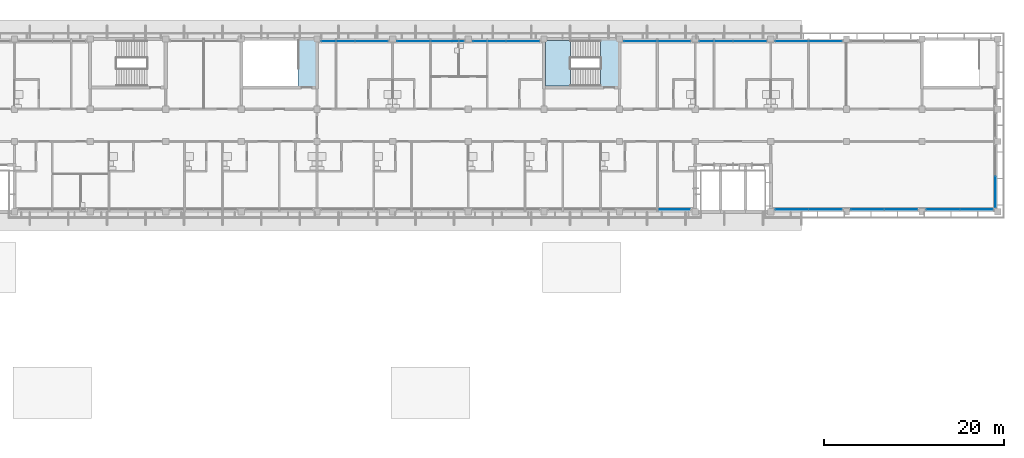
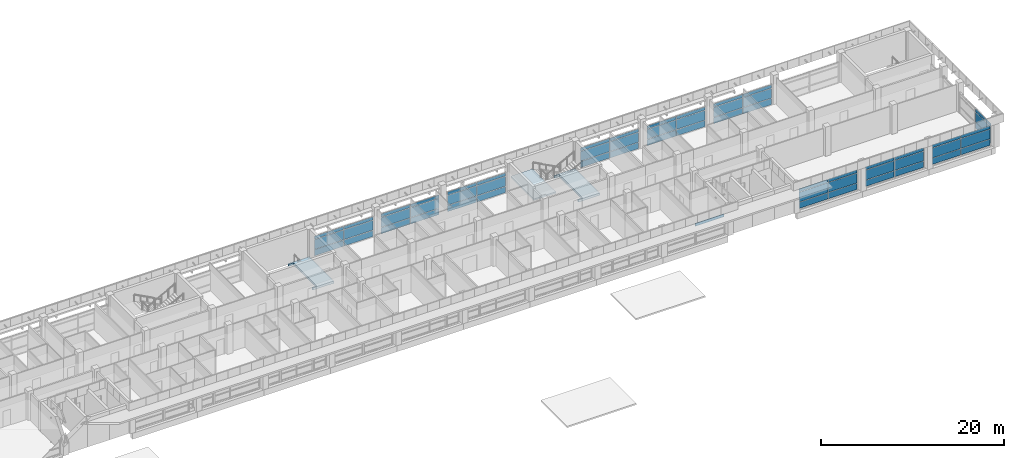
# One storey, part 13 of 36: 58 plates, 3 slabs, 12 elements without a shape of their own.
"""IFC4 building model written with IfcOpenShell, lengths in metres."""

from ifc_helpers import new_model, si_unit, direction, frame, origin, origin_2d, place, context, subcontext, project, spatial, polyline, rectangle, outline, extrude, material, layer, layer_set, type_object, element, aggregate, save


model = new_model("IFC4")

# Units and contexts
model_context = context("Model", 3, precision=1e-05, world=origin(), true_north=direction((0.0, 1.0)))
body_context = subcontext(model_context, "Body", "Model", "MODEL_VIEW")
ifc_project = project(units=[si_unit("LENGTHUNIT", "METRE"), si_unit("AREAUNIT", "SQUARE_METRE"), si_unit("VOLUMEUNIT", "CUBIC_METRE"), si_unit("PLANEANGLEUNIT", "RADIAN"), si_unit("MASSUNIT", "GRAM", prefix="KILO")], contexts=[model_context])

# Site, building, storey
site_placement = place(None, origin())
site = spatial("IfcSite", under=ifc_project, at=site_placement, CompositionType="ELEMENT")
building_placement = place(site_placement, origin())
building = spatial("IfcBuilding", under=site, at=building_placement, Name="Bougainvillea Quay General Hospital", CompositionType="ELEMENT")
storey_placement = place(building_placement, frame((0.0, 0.0, 32.699951171875)))
storey = spatial("IfcBuildingStorey", under=building, at=storey_placement, Name="L07", CompositionType="ELEMENT", Elevation=32.699951171875)

# Curtain wall, plates
ifc_material_1 = material(Name="Aluminium curtain wall system, powder-coated glazed", Category="aluminium")
curtain_wall_type_1 = type_object("IfcCurtainWallType", Name="Unitised curtain wall CW-3730", PredefinedType="NOTDEFINED", material=ifc_material_1)
curtain_wall_1_placement = place(storey_placement, origin())
curtain_wall_1 = element("IfcCurtainWall", 1, at=curtain_wall_1_placement, inside=storey, type_object=curtain_wall_type_1, Name="CW-4200 01", PredefinedType="NOTDEFINED")
ifc_material_2 = material(Name="Insulated aluminium spandrel panel, white", Category="aluminium")
ifc_layer_1 = layer(ifc_material_2, 0.028076171875)
ifc_layer_set_1 = layer_set([ifc_layer_1], Name="Insulated aluminium spandrel panel, white")
plate_type_1 = type_object("IfcPlateType", Name="Insulated spandrel panel white 28", PredefinedType="CURTAIN_PANEL", material=ifc_layer_set_1)
plate_1_placement = place(storey_placement, frame((165.64990234375, 159.35009765625, 0.06005859375), z_axis=(0.0, 0.0, 1.0), x_axis=(-1.0, 0.0, 0.0)))
plate_1 = element("IfcPlate", 2, at=plate_1_placement, type_object=plate_type_1, Name="CW-4200 spandrel panel 1.1", PredefinedType="CURTAIN_PANEL", context=body_context, shape_type="SweptSolid", body=[
    extrude(rectangle(XDim=3.639892578125, YDim=0.028076171875, at=origin_2d()), origin(), (0.0, 0.0, 1.0), 0.81005859375),
])
plate_2_placement = place(storey_placement, frame((165.64990234375, 159.35009765625, 2.2802734375), z_axis=(0.0, 0.0, 1.0), x_axis=(-1.0, 0.0, 0.0)))
plate_2 = element("IfcPlate", 3, at=plate_2_placement, type_object=plate_type_1, Name="CW-4200 spandrel panel 1.3", PredefinedType="CURTAIN_PANEL", context=body_context, shape_type="SweptSolid", body=[
    extrude(rectangle(XDim=3.639892578125, YDim=0.028076171875, at=origin_2d()), origin(), (0.0, 0.0, 1.0), 0.409912109375),
])
plate_3_placement = place(storey_placement, frame((161.949951171875, 159.35009765625, 0.06005859375), z_axis=(0.0, 0.0, 1.0), x_axis=(-1.0, 0.0, 0.0)))
plate_3 = element("IfcPlate", 4, at=plate_3_placement, type_object=plate_type_1, Name="CW-4200 spandrel panel 2.1", PredefinedType="CURTAIN_PANEL", context=body_context, shape_type="SweptSolid", body=[
    extrude(rectangle(XDim=3.639892578125, YDim=0.028076171875, at=origin_2d()), origin(), (0.0, 0.0, 1.0), 0.81005859375),
])
plate_4_placement = place(storey_placement, frame((161.949951171875, 159.35009765625, 2.2802734375), z_axis=(0.0, 0.0, 1.0), x_axis=(-1.0, 0.0, 0.0)))
plate_4 = element("IfcPlate", 5, at=plate_4_placement, type_object=plate_type_1, Name="CW-4200 spandrel panel 2.3", PredefinedType="CURTAIN_PANEL", context=body_context, shape_type="SweptSolid", body=[
    extrude(rectangle(XDim=3.639892578125, YDim=0.028076171875, at=origin_2d()), origin(), (0.0, 0.0, 1.0), 0.409912109375),
])

curtain_wall_2_placement = place(storey_placement, origin())
curtain_wall_2 = element("IfcCurtainWall", 6, at=curtain_wall_2_placement, inside=storey, type_object=curtain_wall_type_1, Name="CW-4200 02", PredefinedType="NOTDEFINED")
plate_5_placement = place(storey_placement, frame((157.25, 159.35009765625, 0.06005859375), z_axis=(0.0, 0.0, 1.0), x_axis=(-1.0, 0.0, 0.0)))
plate_5 = element("IfcPlate", 7, at=plate_5_placement, type_object=plate_type_1, Name="CW-4200 spandrel panel 1.1", PredefinedType="CURTAIN_PANEL", context=body_context, shape_type="SweptSolid", body=[
    extrude(rectangle(XDim=3.639892578125, YDim=0.028076171875, at=origin_2d()), origin(), (0.0, 0.0, 1.0), 0.81005859375),
])
plate_6_placement = place(storey_placement, frame((157.25, 159.35009765625, 2.2802734375), z_axis=(0.0, 0.0, 1.0), x_axis=(-1.0, 0.0, 0.0)))
plate_6 = element("IfcPlate", 8, at=plate_6_placement, type_object=plate_type_1, Name="CW-4200 spandrel panel 1.3", PredefinedType="CURTAIN_PANEL", context=body_context, shape_type="SweptSolid", body=[
    extrude(rectangle(XDim=3.639892578125, YDim=0.028076171875, at=origin_2d()), origin(), (0.0, 0.0, 1.0), 0.409912109375),
])
plate_7_placement = place(storey_placement, frame((153.550048828125, 159.35009765625, 0.06005859375), z_axis=(0.0, 0.0, 1.0), x_axis=(-1.0, 0.0, 0.0)))
plate_7 = element("IfcPlate", 9, at=plate_7_placement, type_object=plate_type_1, Name="CW-4200 spandrel panel 2.1", PredefinedType="CURTAIN_PANEL", context=body_context, shape_type="SweptSolid", body=[
    extrude(rectangle(XDim=3.639892578125, YDim=0.028076171875, at=origin_2d()), origin(), (0.0, 0.0, 1.0), 0.81005859375),
])
plate_8_placement = place(storey_placement, frame((153.550048828125, 159.35009765625, 2.2802734375), z_axis=(0.0, 0.0, 1.0), x_axis=(-1.0, 0.0, 0.0)))
plate_8 = element("IfcPlate", 10, at=plate_8_placement, type_object=plate_type_1, Name="CW-4200 spandrel panel 2.3", PredefinedType="CURTAIN_PANEL", context=body_context, shape_type="SweptSolid", body=[
    extrude(rectangle(XDim=3.639892578125, YDim=0.028076171875, at=origin_2d()), origin(), (0.0, 0.0, 1.0), 0.409912109375),
])

curtain_wall_3_placement = place(storey_placement, origin())
curtain_wall_3 = element("IfcCurtainWall", 11, at=curtain_wall_3_placement, inside=storey, type_object=curtain_wall_type_1, Name="CW-4200 03", PredefinedType="NOTDEFINED")
plate_9_placement = place(storey_placement, frame((148.85009765625, 159.35009765625, 0.06005859375), z_axis=(0.0, 0.0, 1.0), x_axis=(-1.0, 0.0, 0.0)))
plate_9 = element("IfcPlate", 12, at=plate_9_placement, type_object=plate_type_1, Name="CW-4200 spandrel panel 1.1", PredefinedType="CURTAIN_PANEL", context=body_context, shape_type="SweptSolid", body=[
    extrude(rectangle(XDim=3.639892578125, YDim=0.028076171875, at=origin_2d()), origin(), (0.0, 0.0, 1.0), 0.81005859375),
])
plate_10_placement = place(storey_placement, frame((148.85009765625, 159.35009765625, 2.2802734375), z_axis=(0.0, 0.0, 1.0), x_axis=(-1.0, 0.0, 0.0)))
plate_10 = element("IfcPlate", 13, at=plate_10_placement, type_object=plate_type_1, Name="CW-4200 spandrel panel 1.3", PredefinedType="CURTAIN_PANEL", context=body_context, shape_type="SweptSolid", body=[
    extrude(rectangle(XDim=3.639892578125, YDim=0.028076171875, at=origin_2d()), origin(), (0.0, 0.0, 1.0), 0.409912109375),
])
plate_11_placement = place(storey_placement, frame((145.14990234375, 159.35009765625, 0.06005859375), z_axis=(0.0, 0.0, 1.0), x_axis=(-1.0, 0.0, 0.0)))
plate_11 = element("IfcPlate", 14, at=plate_11_placement, type_object=plate_type_1, Name="CW-4200 spandrel panel 2.1", PredefinedType="CURTAIN_PANEL", context=body_context, shape_type="SweptSolid", body=[
    extrude(rectangle(XDim=3.639892578125, YDim=0.028076171875, at=origin_2d()), origin(), (0.0, 0.0, 1.0), 0.81005859375),
])
plate_12_placement = place(storey_placement, frame((145.14990234375, 159.35009765625, 2.2802734375), z_axis=(0.0, 0.0, 1.0), x_axis=(-1.0, 0.0, 0.0)))
plate_12 = element("IfcPlate", 15, at=plate_12_placement, type_object=plate_type_1, Name="CW-4200 spandrel panel 2.3", PredefinedType="CURTAIN_PANEL", context=body_context, shape_type="SweptSolid", body=[
    extrude(rectangle(XDim=3.639892578125, YDim=0.028076171875, at=origin_2d()), origin(), (0.0, 0.0, 1.0), 0.409912109375),
])

curtain_wall_4_placement = place(storey_placement, origin())
curtain_wall_4 = element("IfcCurtainWall", 16, at=curtain_wall_4_placement, inside=storey, type_object=curtain_wall_type_1, Name="CW-4200 04", PredefinedType="NOTDEFINED")
plate_13_placement = place(storey_placement, frame((132.050048828125, 159.35009765625, 0.06005859375), z_axis=(0.0, 0.0, 1.0), x_axis=(-1.0, 0.0, 0.0)))
plate_13 = element("IfcPlate", 17, at=plate_13_placement, type_object=plate_type_1, Name="CW-4200 spandrel panel 1.1", PredefinedType="CURTAIN_PANEL", context=body_context, shape_type="SweptSolid", body=[
    extrude(rectangle(XDim=3.639892578125, YDim=0.028076171875, at=origin_2d()), origin(), (0.0, 0.0, 1.0), 0.81005859375),
])
plate_14_placement = place(storey_placement, frame((132.050048828125, 159.35009765625, 2.2802734375), z_axis=(0.0, 0.0, 1.0), x_axis=(-1.0, 0.0, 0.0)))
plate_14 = element("IfcPlate", 18, at=plate_14_placement, type_object=plate_type_1, Name="CW-4200 spandrel panel 1.3", PredefinedType="CURTAIN_PANEL", context=body_context, shape_type="SweptSolid", body=[
    extrude(rectangle(XDim=3.639892578125, YDim=0.028076171875, at=origin_2d()), origin(), (0.0, 0.0, 1.0), 0.409912109375),
])
plate_15_placement = place(storey_placement, frame((128.35009765625, 159.35009765625, 0.06005859375), z_axis=(0.0, 0.0, 1.0), x_axis=(-1.0, 0.0, 0.0)))
plate_15 = element("IfcPlate", 19, at=plate_15_placement, type_object=plate_type_1, Name="CW-4200 spandrel panel 2.1", PredefinedType="CURTAIN_PANEL", context=body_context, shape_type="SweptSolid", body=[
    extrude(rectangle(XDim=3.639892578125, YDim=0.028076171875, at=origin_2d()), origin(), (0.0, 0.0, 1.0), 0.81005859375),
])
plate_16_placement = place(storey_placement, frame((128.35009765625, 159.35009765625, 2.2802734375), z_axis=(0.0, 0.0, 1.0), x_axis=(-1.0, 0.0, 0.0)))
plate_16 = element("IfcPlate", 20, at=plate_16_placement, type_object=plate_type_1, Name="CW-4200 spandrel panel 2.3", PredefinedType="CURTAIN_PANEL", context=body_context, shape_type="SweptSolid", body=[
    extrude(rectangle(XDim=3.639892578125, YDim=0.028076171875, at=origin_2d()), origin(), (0.0, 0.0, 1.0), 0.409912109375),
])

curtain_wall_5_placement = place(storey_placement, origin())
curtain_wall_5 = element("IfcCurtainWall", 21, at=curtain_wall_5_placement, inside=storey, type_object=curtain_wall_type_1, Name="CW-4200 05", PredefinedType="NOTDEFINED")
plate_17_placement = place(storey_placement, frame((123.64990234375, 159.35009765625, 0.06005859375), z_axis=(0.0, 0.0, 1.0), x_axis=(-1.0, 0.0, 0.0)))
plate_17 = element("IfcPlate", 22, at=plate_17_placement, type_object=plate_type_1, Name="CW-4200 spandrel panel 1.1", PredefinedType="CURTAIN_PANEL", context=body_context, shape_type="SweptSolid", body=[
    extrude(rectangle(XDim=3.639892578125, YDim=0.028076171875, at=origin_2d()), origin(), (0.0, 0.0, 1.0), 0.81005859375),
])
plate_18_placement = place(storey_placement, frame((123.64990234375, 159.35009765625, 2.2802734375), z_axis=(0.0, 0.0, 1.0), x_axis=(-1.0, 0.0, 0.0)))
plate_18 = element("IfcPlate", 23, at=plate_18_placement, type_object=plate_type_1, Name="CW-4200 spandrel panel 1.3", PredefinedType="CURTAIN_PANEL", context=body_context, shape_type="SweptSolid", body=[
    extrude(rectangle(XDim=3.639892578125, YDim=0.028076171875, at=origin_2d()), origin(), (0.0, 0.0, 1.0), 0.409912109375),
])
plate_19_placement = place(storey_placement, frame((119.949951171875, 159.35009765625, 0.06005859375), z_axis=(0.0, 0.0, 1.0), x_axis=(-1.0, 0.0, 0.0)))
plate_19 = element("IfcPlate", 24, at=plate_19_placement, type_object=plate_type_1, Name="CW-4200 spandrel panel 2.1", PredefinedType="CURTAIN_PANEL", context=body_context, shape_type="SweptSolid", body=[
    extrude(rectangle(XDim=3.639892578125, YDim=0.028076171875, at=origin_2d()), origin(), (0.0, 0.0, 1.0), 0.81005859375),
])
plate_20_placement = place(storey_placement, frame((119.949951171875, 159.35009765625, 2.2802734375), z_axis=(0.0, 0.0, 1.0), x_axis=(-1.0, 0.0, 0.0)))
plate_20 = element("IfcPlate", 25, at=plate_20_placement, type_object=plate_type_1, Name="CW-4200 spandrel panel 2.3", PredefinedType="CURTAIN_PANEL", context=body_context, shape_type="SweptSolid", body=[
    extrude(rectangle(XDim=3.639892578125, YDim=0.028076171875, at=origin_2d()), origin(), (0.0, 0.0, 1.0), 0.409912109375),
])

curtain_wall_6_placement = place(storey_placement, origin())
curtain_wall_6 = element("IfcCurtainWall", 26, at=curtain_wall_6_placement, inside=storey, type_object=curtain_wall_type_1, Name="CW-4200 06", PredefinedType="NOTDEFINED")
plate_21_placement = place(storey_placement, frame((115.25, 159.35009765625, 0.06005859375), z_axis=(0.0, 0.0, 1.0), x_axis=(-1.0, 0.0, 0.0)))
plate_21 = element("IfcPlate", 27, at=plate_21_placement, type_object=plate_type_1, Name="CW-4200 spandrel panel 1.1", PredefinedType="CURTAIN_PANEL", context=body_context, shape_type="SweptSolid", body=[
    extrude(rectangle(XDim=3.639892578125, YDim=0.028076171875, at=origin_2d()), origin(), (0.0, 0.0, 1.0), 0.81005859375),
])
plate_22_placement = place(storey_placement, frame((115.25, 159.35009765625, 2.2802734375), z_axis=(0.0, 0.0, 1.0), x_axis=(-1.0, 0.0, 0.0)))
plate_22 = element("IfcPlate", 28, at=plate_22_placement, type_object=plate_type_1, Name="CW-4200 spandrel panel 1.3", PredefinedType="CURTAIN_PANEL", context=body_context, shape_type="SweptSolid", body=[
    extrude(rectangle(XDim=3.639892578125, YDim=0.028076171875, at=origin_2d()), origin(), (0.0, 0.0, 1.0), 0.409912109375),
])
plate_23_placement = place(storey_placement, frame((111.550048828125, 159.35009765625, 0.06005859375), z_axis=(0.0, 0.0, 1.0), x_axis=(-1.0, 0.0, 0.0)))
plate_23 = element("IfcPlate", 29, at=plate_23_placement, type_object=plate_type_1, Name="CW-4200 spandrel panel 2.1", PredefinedType="CURTAIN_PANEL", context=body_context, shape_type="SweptSolid", body=[
    extrude(rectangle(XDim=3.639892578125, YDim=0.028076171875, at=origin_2d()), origin(), (0.0, 0.0, 1.0), 0.81005859375),
])
plate_24_placement = place(storey_placement, frame((111.550048828125, 159.35009765625, 2.2802734375), z_axis=(0.0, 0.0, 1.0), x_axis=(-1.0, 0.0, 0.0)))
plate_24 = element("IfcPlate", 30, at=plate_24_placement, type_object=plate_type_1, Name="CW-4200 spandrel panel 2.3", PredefinedType="CURTAIN_PANEL", context=body_context, shape_type="SweptSolid", body=[
    extrude(rectangle(XDim=3.639892578125, YDim=0.028076171875, at=origin_2d()), origin(), (0.0, 0.0, 1.0), 0.409912109375),
])

# Curtain wall, plate
curtain_wall_7_placement = place(storey_placement, origin())
curtain_wall_7 = element("IfcCurtainWall", 31, at=curtain_wall_7_placement, inside=storey, type_object=curtain_wall_type_1, Name="CW-4200 08", PredefinedType="NOTDEFINED")
plate_25_placement = place(storey_placement, frame((148.85009765625, 140.64990234375, 2.2802734375), z_axis=(0.0, 0.0, 1.0), x_axis=(1.0, 0.0, 0.0)))
plate_25 = element("IfcPlate", 32, at=plate_25_placement, type_object=plate_type_1, Name="CW-4200 spandrel panel 2.3", PredefinedType="CURTAIN_PANEL", context=body_context, shape_type="SweptSolid", body=[
    extrude(rectangle(XDim=3.639892578125, YDim=0.028076171875, at=origin_2d()), origin(), (0.0, 0.0, 1.0), 0.409912109375),
])
aggregate(curtain_wall_7, [plate_25])

# Curtain wall, plates
curtain_wall_8_placement = place(storey_placement, origin())
curtain_wall_8 = element("IfcCurtainWall", 33, at=curtain_wall_8_placement, inside=storey, type_object=curtain_wall_type_1, Name="CW-4200 00", PredefinedType="NOTDEFINED")
plate_26_placement = place(storey_placement, frame((161.949951171875, 140.64990234375, 0.06005859375), z_axis=(0.0, 0.0, 1.0), x_axis=(1.0, 0.0, 0.0)))
plate_26 = element("IfcPlate", 34, at=plate_26_placement, type_object=plate_type_1, Name="CW-4200 spandrel panel 1.1", PredefinedType="CURTAIN_PANEL", context=body_context, shape_type="SweptSolid", body=[
    extrude(rectangle(XDim=3.639892578125, YDim=0.028076171875, at=origin_2d()), origin(), (0.0, 0.0, 1.0), 0.81005859375),
])
plate_27_placement = place(storey_placement, frame((161.949951171875, 140.64990234375, 2.2802734375), z_axis=(0.0, 0.0, 1.0), x_axis=(1.0, 0.0, 0.0)))
plate_27 = element("IfcPlate", 35, at=plate_27_placement, type_object=plate_type_1, Name="CW-4200 spandrel panel 1.3", PredefinedType="CURTAIN_PANEL", context=body_context, shape_type="SweptSolid", body=[
    extrude(rectangle(XDim=3.639892578125, YDim=0.028076171875, at=origin_2d()), origin(), (0.0, 0.0, 1.0), 0.409912109375),
])
plate_28_placement = place(storey_placement, frame((165.64990234375, 140.64990234375, 0.06005859375), z_axis=(0.0, 0.0, 1.0), x_axis=(1.0, 0.0, 0.0)))
plate_28 = element("IfcPlate", 36, at=plate_28_placement, type_object=plate_type_1, Name="CW-4200 spandrel panel 2.1", PredefinedType="CURTAIN_PANEL", context=body_context, shape_type="SweptSolid", body=[
    extrude(rectangle(XDim=3.639892578125, YDim=0.028076171875, at=origin_2d()), origin(), (0.0, 0.0, 1.0), 0.81005859375),
])
plate_29_placement = place(storey_placement, frame((165.64990234375, 140.64990234375, 2.2802734375), z_axis=(0.0, 0.0, 1.0), x_axis=(1.0, 0.0, 0.0)))
plate_29 = element("IfcPlate", 37, at=plate_29_placement, type_object=plate_type_1, Name="CW-4200 spandrel panel 2.3", PredefinedType="CURTAIN_PANEL", context=body_context, shape_type="SweptSolid", body=[
    extrude(rectangle(XDim=3.639892578125, YDim=0.028076171875, at=origin_2d()), origin(), (0.0, 0.0, 1.0), 0.409912109375),
])

curtain_wall_9_placement = place(storey_placement, origin())
curtain_wall_9 = element("IfcCurtainWall", 38, at=curtain_wall_9_placement, inside=storey, type_object=curtain_wall_type_1, Name="CW-4200 01", PredefinedType="NOTDEFINED")
plate_30_placement = place(storey_placement, frame((170.35009765625, 140.64990234375, 0.06005859375), z_axis=(0.0, 0.0, 1.0), x_axis=(1.0, 0.0, 0.0)))
plate_30 = element("IfcPlate", 39, at=plate_30_placement, type_object=plate_type_1, Name="CW-4200 spandrel panel 1.1", PredefinedType="CURTAIN_PANEL", context=body_context, shape_type="SweptSolid", body=[
    extrude(rectangle(XDim=3.639892578125, YDim=0.028076171875, at=origin_2d()), origin(), (0.0, 0.0, 1.0), 0.81005859375),
])
plate_31_placement = place(storey_placement, frame((170.35009765625, 140.64990234375, 2.2802734375), z_axis=(0.0, 0.0, 1.0), x_axis=(1.0, 0.0, 0.0)))
plate_31 = element("IfcPlate", 40, at=plate_31_placement, type_object=plate_type_1, Name="CW-4200 spandrel panel 1.3", PredefinedType="CURTAIN_PANEL", context=body_context, shape_type="SweptSolid", body=[
    extrude(rectangle(XDim=3.639892578125, YDim=0.028076171875, at=origin_2d()), origin(), (0.0, 0.0, 1.0), 0.409912109375),
])
plate_32_placement = place(storey_placement, frame((174.050048828125, 140.64990234375, 0.06005859375), z_axis=(0.0, 0.0, 1.0), x_axis=(1.0, 0.0, 0.0)))
plate_32 = element("IfcPlate", 41, at=plate_32_placement, type_object=plate_type_1, Name="CW-4200 spandrel panel 2.1", PredefinedType="CURTAIN_PANEL", context=body_context, shape_type="SweptSolid", body=[
    extrude(rectangle(XDim=3.639892578125, YDim=0.028076171875, at=origin_2d()), origin(), (0.0, 0.0, 1.0), 0.81005859375),
])
plate_33_placement = place(storey_placement, frame((174.050048828125, 140.64990234375, 2.2802734375), z_axis=(0.0, 0.0, 1.0), x_axis=(1.0, 0.0, 0.0)))
plate_33 = element("IfcPlate", 42, at=plate_33_placement, type_object=plate_type_1, Name="CW-4200 spandrel panel 2.3", PredefinedType="CURTAIN_PANEL", context=body_context, shape_type="SweptSolid", body=[
    extrude(rectangle(XDim=3.639892578125, YDim=0.028076171875, at=origin_2d()), origin(), (0.0, 0.0, 1.0), 0.409912109375),
])

curtain_wall_10_placement = place(storey_placement, origin())
curtain_wall_10 = element("IfcCurtainWall", 43, at=curtain_wall_10_placement, inside=storey, type_object=curtain_wall_type_1, Name="CW-4200 02", PredefinedType="NOTDEFINED")
plate_34_placement = place(storey_placement, frame((178.75, 140.64990234375, 0.06005859375), z_axis=(0.0, 0.0, 1.0), x_axis=(1.0, 0.0, 0.0)))
plate_34 = element("IfcPlate", 44, at=plate_34_placement, type_object=plate_type_1, Name="CW-4200 spandrel panel 1.1", PredefinedType="CURTAIN_PANEL", context=body_context, shape_type="SweptSolid", body=[
    extrude(rectangle(XDim=3.639892578125, YDim=0.028076171875, at=origin_2d()), origin(), (0.0, 0.0, 1.0), 0.81005859375),
])
plate_35_placement = place(storey_placement, frame((178.75, 140.64990234375, 2.2802734375), z_axis=(0.0, 0.0, 1.0), x_axis=(1.0, 0.0, 0.0)))
plate_35 = element("IfcPlate", 45, at=plate_35_placement, type_object=plate_type_1, Name="CW-4200 spandrel panel 1.3", PredefinedType="CURTAIN_PANEL", context=body_context, shape_type="SweptSolid", body=[
    extrude(rectangle(XDim=3.639892578125, YDim=0.028076171875, at=origin_2d()), origin(), (0.0, 0.0, 1.0), 0.409912109375),
])
plate_36_placement = place(storey_placement, frame((182.449951171875, 140.64990234375, 0.06005859375), z_axis=(0.0, 0.0, 1.0), x_axis=(1.0, 0.0, 0.0)))
plate_36 = element("IfcPlate", 46, at=plate_36_placement, type_object=plate_type_1, Name="CW-4200 spandrel panel 2.1", PredefinedType="CURTAIN_PANEL", context=body_context, shape_type="SweptSolid", body=[
    extrude(rectangle(XDim=3.639892578125, YDim=0.028076171875, at=origin_2d()), origin(), (0.0, 0.0, 1.0), 0.81005859375),
])
plate_37_placement = place(storey_placement, frame((182.449951171875, 140.64990234375, 2.2802734375), z_axis=(0.0, 0.0, 1.0), x_axis=(1.0, 0.0, 0.0)))
plate_37 = element("IfcPlate", 47, at=plate_37_placement, type_object=plate_type_1, Name="CW-4200 spandrel panel 2.3", PredefinedType="CURTAIN_PANEL", context=body_context, shape_type="SweptSolid", body=[
    extrude(rectangle(XDim=3.639892578125, YDim=0.028076171875, at=origin_2d()), origin(), (0.0, 0.0, 1.0), 0.409912109375),
])

curtain_wall_type_2 = type_object("IfcCurtainWallType", Name="Unitised curtain wall CW-3430", PredefinedType="NOTDEFINED", material=ifc_material_1)
curtain_wall_11_placement = place(storey_placement, origin())
curtain_wall_11 = element("IfcCurtainWall", 48, at=curtain_wall_11_placement, inside=storey, type_object=curtain_wall_type_2, Name="CW-4200 00", PredefinedType="NOTDEFINED")
plate_38_placement = place(storey_placement, frame((184.550048828125, 142.60009765625, 0.06005859375), z_axis=(0.0, 0.0, 1.0), x_axis=(0.0, 1.0, 0.0)))
plate_38 = element("IfcPlate", 49, at=plate_38_placement, type_object=plate_type_1, Name="CW-4200 spandrel panel 1.1", PredefinedType="CURTAIN_PANEL", context=body_context, shape_type="SweptSolid", body=[
    extrude(rectangle(XDim=3.340087890625, YDim=0.028076171875, at=origin_2d()), origin(), (0.0, 0.0, 1.0), 0.81005859375),
])
plate_39_placement = place(storey_placement, frame((184.550048828125, 142.60009765625, 2.2802734375), z_axis=(0.0, 0.0, 1.0), x_axis=(0.0, 1.0, 0.0)))
plate_39 = element("IfcPlate", 50, at=plate_39_placement, type_object=plate_type_1, Name="CW-4200 spandrel panel 1.3", PredefinedType="CURTAIN_PANEL", context=body_context, shape_type="SweptSolid", body=[
    extrude(rectangle(XDim=3.340087890625, YDim=0.028076171875, at=origin_2d()), origin(), (0.0, 0.0, 1.0), 0.409912109375),
])

# Plate
ifc_material_3 = material(Name="Low-e laminated glass, solar control", Category="glass")
ifc_layer_2 = layer(ifc_material_3, 0.028076171875)
ifc_layer_set_2 = layer_set([ifc_layer_2], Name="Low-e laminated glass, solar control")
plate_type_2 = type_object("IfcPlateType", Name="Low-e laminated vision glass 28", PredefinedType="CURTAIN_PANEL", material=ifc_layer_set_2)
plate_40_placement = place(storey_placement, frame((165.64990234375, 159.35009765625, 0.929931640625), z_axis=(0.0, 0.0, 1.0), x_axis=(-1.0, 0.0, 0.0)))
plate_40 = element("IfcPlate", 51, at=plate_40_placement, type_object=plate_type_2, Name="CW-4200 vision glass panel 1.2", PredefinedType="CURTAIN_PANEL", context=body_context, shape_type="SweptSolid", body=[
    extrude(rectangle(XDim=3.639892578125, YDim=0.028076171875, at=origin_2d()), origin(), (0.0, 0.0, 1.0), 1.2900390625),
])

plate_41_placement = place(storey_placement, frame((161.949951171875, 159.35009765625, 0.929931640625), z_axis=(0.0, 0.0, 1.0), x_axis=(-1.0, 0.0, 0.0)))
plate_41 = element("IfcPlate", 52, at=plate_41_placement, type_object=plate_type_2, Name="CW-4200 vision glass panel 2.2", PredefinedType="CURTAIN_PANEL", context=body_context, shape_type="SweptSolid", body=[
    extrude(rectangle(XDim=3.639892578125, YDim=0.028076171875, at=origin_2d()), origin(), (0.0, 0.0, 1.0), 1.2900390625),
])

aggregate(curtain_wall_1, [plate_1, plate_40, plate_2, plate_3, plate_41, plate_4])

plate_42_placement = place(storey_placement, frame((157.25, 159.35009765625, 0.929931640625), z_axis=(0.0, 0.0, 1.0), x_axis=(-1.0, 0.0, 0.0)))
plate_42 = element("IfcPlate", 53, at=plate_42_placement, type_object=plate_type_2, Name="CW-4200 vision glass panel 1.2", PredefinedType="CURTAIN_PANEL", context=body_context, shape_type="SweptSolid", body=[
    extrude(rectangle(XDim=3.639892578125, YDim=0.028076171875, at=origin_2d()), origin(), (0.0, 0.0, 1.0), 1.2900390625),
])

plate_43_placement = place(storey_placement, frame((153.550048828125, 159.35009765625, 0.929931640625), z_axis=(0.0, 0.0, 1.0), x_axis=(-1.0, 0.0, 0.0)))
plate_43 = element("IfcPlate", 54, at=plate_43_placement, type_object=plate_type_2, Name="CW-4200 vision glass panel 2.2", PredefinedType="CURTAIN_PANEL", context=body_context, shape_type="SweptSolid", body=[
    extrude(rectangle(XDim=3.639892578125, YDim=0.028076171875, at=origin_2d()), origin(), (0.0, 0.0, 1.0), 1.2900390625),
])

aggregate(curtain_wall_2, [plate_5, plate_42, plate_6, plate_7, plate_43, plate_8])

plate_44_placement = place(storey_placement, frame((148.85009765625, 159.35009765625, 0.929931640625), z_axis=(0.0, 0.0, 1.0), x_axis=(-1.0, 0.0, 0.0)))
plate_44 = element("IfcPlate", 55, at=plate_44_placement, type_object=plate_type_2, Name="CW-4200 vision glass panel 1.2", PredefinedType="CURTAIN_PANEL", context=body_context, shape_type="SweptSolid", body=[
    extrude(rectangle(XDim=3.639892578125, YDim=0.028076171875, at=origin_2d()), origin(), (0.0, 0.0, 1.0), 1.2900390625),
])

plate_45_placement = place(storey_placement, frame((145.14990234375, 159.35009765625, 0.929931640625), z_axis=(0.0, 0.0, 1.0), x_axis=(-1.0, 0.0, 0.0)))
plate_45 = element("IfcPlate", 56, at=plate_45_placement, type_object=plate_type_2, Name="CW-4200 vision glass panel 2.2", PredefinedType="CURTAIN_PANEL", context=body_context, shape_type="SweptSolid", body=[
    extrude(rectangle(XDim=3.639892578125, YDim=0.028076171875, at=origin_2d()), origin(), (0.0, 0.0, 1.0), 1.2900390625),
])

aggregate(curtain_wall_3, [plate_9, plate_44, plate_10, plate_11, plate_45, plate_12])

plate_46_placement = place(storey_placement, frame((132.050048828125, 159.35009765625, 0.929931640625), z_axis=(0.0, 0.0, 1.0), x_axis=(-1.0, 0.0, 0.0)))
plate_46 = element("IfcPlate", 57, at=plate_46_placement, type_object=plate_type_2, Name="CW-4200 vision glass panel 1.2", PredefinedType="CURTAIN_PANEL", context=body_context, shape_type="SweptSolid", body=[
    extrude(rectangle(XDim=3.639892578125, YDim=0.028076171875, at=origin_2d()), origin(), (0.0, 0.0, 1.0), 1.2900390625),
])

plate_47_placement = place(storey_placement, frame((128.35009765625, 159.35009765625, 0.929931640625), z_axis=(0.0, 0.0, 1.0), x_axis=(-1.0, 0.0, 0.0)))
plate_47 = element("IfcPlate", 58, at=plate_47_placement, type_object=plate_type_2, Name="CW-4200 vision glass panel 2.2", PredefinedType="CURTAIN_PANEL", context=body_context, shape_type="SweptSolid", body=[
    extrude(rectangle(XDim=3.639892578125, YDim=0.028076171875, at=origin_2d()), origin(), (0.0, 0.0, 1.0), 1.2900390625),
])

aggregate(curtain_wall_4, [plate_13, plate_46, plate_14, plate_15, plate_47, plate_16])

plate_48_placement = place(storey_placement, frame((123.64990234375, 159.35009765625, 0.929931640625), z_axis=(0.0, 0.0, 1.0), x_axis=(-1.0, 0.0, 0.0)))
plate_48 = element("IfcPlate", 59, at=plate_48_placement, type_object=plate_type_2, Name="CW-4200 vision glass panel 1.2", PredefinedType="CURTAIN_PANEL", context=body_context, shape_type="SweptSolid", body=[
    extrude(rectangle(XDim=3.639892578125, YDim=0.028076171875, at=origin_2d()), origin(), (0.0, 0.0, 1.0), 1.2900390625),
])

plate_49_placement = place(storey_placement, frame((119.949951171875, 159.35009765625, 0.929931640625), z_axis=(0.0, 0.0, 1.0), x_axis=(-1.0, 0.0, 0.0)))
plate_49 = element("IfcPlate", 60, at=plate_49_placement, type_object=plate_type_2, Name="CW-4200 vision glass panel 2.2", PredefinedType="CURTAIN_PANEL", context=body_context, shape_type="SweptSolid", body=[
    extrude(rectangle(XDim=3.639892578125, YDim=0.028076171875, at=origin_2d()), origin(), (0.0, 0.0, 1.0), 1.2900390625),
])

aggregate(curtain_wall_5, [plate_17, plate_48, plate_18, plate_19, plate_49, plate_20])

plate_50_placement = place(storey_placement, frame((115.25, 159.35009765625, 0.929931640625), z_axis=(0.0, 0.0, 1.0), x_axis=(-1.0, 0.0, 0.0)))
plate_50 = element("IfcPlate", 61, at=plate_50_placement, type_object=plate_type_2, Name="CW-4200 vision glass panel 1.2", PredefinedType="CURTAIN_PANEL", context=body_context, shape_type="SweptSolid", body=[
    extrude(rectangle(XDim=3.639892578125, YDim=0.028076171875, at=origin_2d()), origin(), (0.0, 0.0, 1.0), 1.2900390625),
])

plate_51_placement = place(storey_placement, frame((111.550048828125, 159.35009765625, 0.929931640625), z_axis=(0.0, 0.0, 1.0), x_axis=(-1.0, 0.0, 0.0)))
plate_51 = element("IfcPlate", 62, at=plate_51_placement, type_object=plate_type_2, Name="CW-4200 vision glass panel 2.2", PredefinedType="CURTAIN_PANEL", context=body_context, shape_type="SweptSolid", body=[
    extrude(rectangle(XDim=3.639892578125, YDim=0.028076171875, at=origin_2d()), origin(), (0.0, 0.0, 1.0), 1.2900390625),
])

aggregate(curtain_wall_6, [plate_21, plate_50, plate_22, plate_23, plate_51, plate_24])

plate_52_placement = place(storey_placement, frame((161.949951171875, 140.64990234375, 0.929931640625), z_axis=(0.0, 0.0, 1.0), x_axis=(1.0, 0.0, 0.0)))
plate_52 = element("IfcPlate", 63, at=plate_52_placement, type_object=plate_type_2, Name="CW-4200 vision glass panel 1.2", PredefinedType="CURTAIN_PANEL", context=body_context, shape_type="SweptSolid", body=[
    extrude(rectangle(XDim=3.639892578125, YDim=0.028076171875, at=origin_2d()), origin(), (0.0, 0.0, 1.0), 1.2900390625),
])

plate_53_placement = place(storey_placement, frame((165.64990234375, 140.64990234375, 0.929931640625), z_axis=(0.0, 0.0, 1.0), x_axis=(1.0, 0.0, 0.0)))
plate_53 = element("IfcPlate", 64, at=plate_53_placement, type_object=plate_type_2, Name="CW-4200 vision glass panel 2.2", PredefinedType="CURTAIN_PANEL", context=body_context, shape_type="SweptSolid", body=[
    extrude(rectangle(XDim=3.639892578125, YDim=0.028076171875, at=origin_2d()), origin(), (0.0, 0.0, 1.0), 1.2900390625),
])

aggregate(curtain_wall_8, [plate_26, plate_52, plate_27, plate_28, plate_53, plate_29])

plate_54_placement = place(storey_placement, frame((170.35009765625, 140.64990234375, 0.929931640625), z_axis=(0.0, 0.0, 1.0), x_axis=(1.0, 0.0, 0.0)))
plate_54 = element("IfcPlate", 65, at=plate_54_placement, type_object=plate_type_2, Name="CW-4200 vision glass panel 1.2", PredefinedType="CURTAIN_PANEL", context=body_context, shape_type="SweptSolid", body=[
    extrude(rectangle(XDim=3.639892578125, YDim=0.028076171875, at=origin_2d()), origin(), (0.0, 0.0, 1.0), 1.2900390625),
])

plate_55_placement = place(storey_placement, frame((174.050048828125, 140.64990234375, 0.929931640625), z_axis=(0.0, 0.0, 1.0), x_axis=(1.0, 0.0, 0.0)))
plate_55 = element("IfcPlate", 66, at=plate_55_placement, type_object=plate_type_2, Name="CW-4200 vision glass panel 2.2", PredefinedType="CURTAIN_PANEL", context=body_context, shape_type="SweptSolid", body=[
    extrude(rectangle(XDim=3.639892578125, YDim=0.028076171875, at=origin_2d()), origin(), (0.0, 0.0, 1.0), 1.2900390625),
])

aggregate(curtain_wall_9, [plate_30, plate_54, plate_31, plate_32, plate_55, plate_33])

plate_56_placement = place(storey_placement, frame((178.75, 140.64990234375, 0.929931640625), z_axis=(0.0, 0.0, 1.0), x_axis=(1.0, 0.0, 0.0)))
plate_56 = element("IfcPlate", 67, at=plate_56_placement, type_object=plate_type_2, Name="CW-4200 vision glass panel 1.2", PredefinedType="CURTAIN_PANEL", context=body_context, shape_type="SweptSolid", body=[
    extrude(rectangle(XDim=3.639892578125, YDim=0.028076171875, at=origin_2d()), origin(), (0.0, 0.0, 1.0), 1.2900390625),
])

plate_57_placement = place(storey_placement, frame((182.449951171875, 140.64990234375, 0.929931640625), z_axis=(0.0, 0.0, 1.0), x_axis=(1.0, 0.0, 0.0)))
plate_57 = element("IfcPlate", 68, at=plate_57_placement, type_object=plate_type_2, Name="CW-4200 vision glass panel 2.2", PredefinedType="CURTAIN_PANEL", context=body_context, shape_type="SweptSolid", body=[
    extrude(rectangle(XDim=3.639892578125, YDim=0.028076171875, at=origin_2d()), origin(), (0.0, 0.0, 1.0), 1.2900390625),
])

aggregate(curtain_wall_10, [plate_34, plate_56, plate_35, plate_36, plate_57, plate_37])

plate_58_placement = place(storey_placement, frame((184.550048828125, 142.60009765625, 0.929931640625), z_axis=(0.0, 0.0, 1.0), x_axis=(0.0, 1.0, 0.0)))
plate_58 = element("IfcPlate", 69, at=plate_58_placement, type_object=plate_type_2, Name="CW-4200 vision glass panel 1.2", PredefinedType="CURTAIN_PANEL", context=body_context, shape_type="SweptSolid", body=[
    extrude(rectangle(XDim=3.340087890625, YDim=0.028076171875, at=origin_2d()), origin(), (0.0, 0.0, 1.0), 1.2900390625),
])

aggregate(curtain_wall_11, [plate_38, plate_58, plate_39])

# Slabs
ifc_material_4 = material(Name="Concrete C35", Category="concrete")
ifc_layer_3 = layer(ifc_material_4, 0.300048828125)
ifc_layer_set_3 = layer_set([ifc_layer_3], Name="Concrete C35")
slab_type_1 = type_object("IfcSlabType", Name="RC FLAT SLAB 300 C35", PredefinedType="FLOOR", material=ifc_layer_set_3)
slab_1_placement = place(storey_placement, frame((0.0, 0.0, -0.300048828125)))
element("IfcSlab", 70, at=slab_1_placement, inside=storey, type_object=slab_type_1, Name="Stair landing floor ST-A3 L07", PredefinedType="FLOOR", context=body_context, shape_type="SweptSolid", body=[
    extrude(outline(polyline([(140.102783203125, 159.48388671875), (140.111572265625, 159.5419921875), (140.1259765625, 159.599609375), (142.800048828125, 159.60009765625), (142.800048828125, 154.199951171875), (140.1259765625, 154.200439453125), (140.111572265625, 154.2578125), (140.102783203125, 154.316162109375), (140.10009765625, 154.3740234375), (140.70068359375, 154.374267578125), (140.70068359375, 159.425537109375), (140.10009765625, 159.426025390625), (140.102783203125, 159.48388671875)])), origin(), (0.0, 0.0, 1.0), 0.300048828125),
])
slab_2_placement = place(storey_placement, frame((0.0, 0.0, -0.300048828125)))
element("IfcSlab", 71, at=slab_2_placement, inside=storey, type_object=slab_type_1, Name="Stair landing floor ST-A5 L07", PredefinedType="FLOOR", context=body_context, shape_type="SweptSolid", body=[
    extrude(outline(polyline([(106.5029296875, 159.48388671875), (106.511474609375, 159.5419921875), (106.52587890625, 159.599609375), (109.199951171875, 159.60009765625), (109.199951171875, 154.199951171875), (106.52587890625, 154.200439453125), (106.511474609375, 154.2578125), (106.5029296875, 154.316162109375), (106.5, 154.3740234375), (107.1005859375, 154.374267578125), (107.1005859375, 159.425537109375), (106.5, 159.426025390625), (106.5029296875, 159.48388671875)])), origin(), (0.0, 0.0, 1.0), 0.300048828125),
])

# Stair, slab
stair_type = type_object("IfcStairType", Name="Stair half-turn 1925 wide", PredefinedType="HALF_TURN_STAIR", material=ifc_material_4)
stair_placement = place(storey_placement, origin())
stair = element("IfcStair", 72, at=stair_placement, inside=storey, type_object=stair_type, Name="L07 stair ST-A3", PredefinedType="HALF_TURN_STAIR")
ifc_layer_4 = layer(ifc_material_4, 0.199951171875)
ifc_layer_set_4 = layer_set([ifc_layer_4], Name="Concrete C35")
slab_type_2 = type_object("IfcSlabType", Name="Stair landing 200", PredefinedType="LANDING", material=ifc_layer_set_4)
slab_3_placement = place(storey_placement, frame((0.0, 0.0, 1.75)))
slab_3 = element("IfcSlab", 73, at=slab_3_placement, type_object=slab_type_2, Name="ST-A3 landing 1", PredefinedType="LANDING", context=body_context, shape_type="SweptSolid", body=[
    extrude(outline(polyline([(137.340087890625, 159.425048828125), (134.574951171875, 159.425048828125), (134.574951171875, 154.375), (137.340087890625, 154.375), (137.340087890625, 159.425048828125)])), origin(), (0.0, 0.0, 1.0), 0.199951171875),
])
aggregate(stair, [slab_3])

save(model, "model.ifc")
